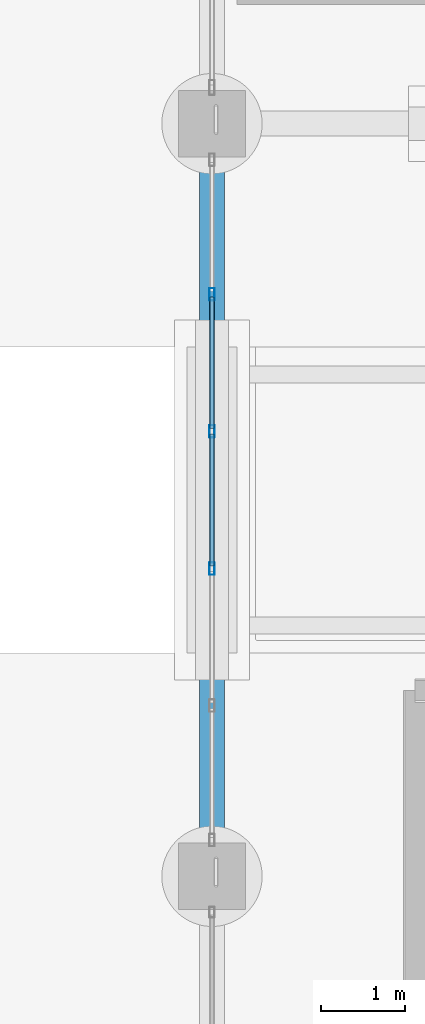
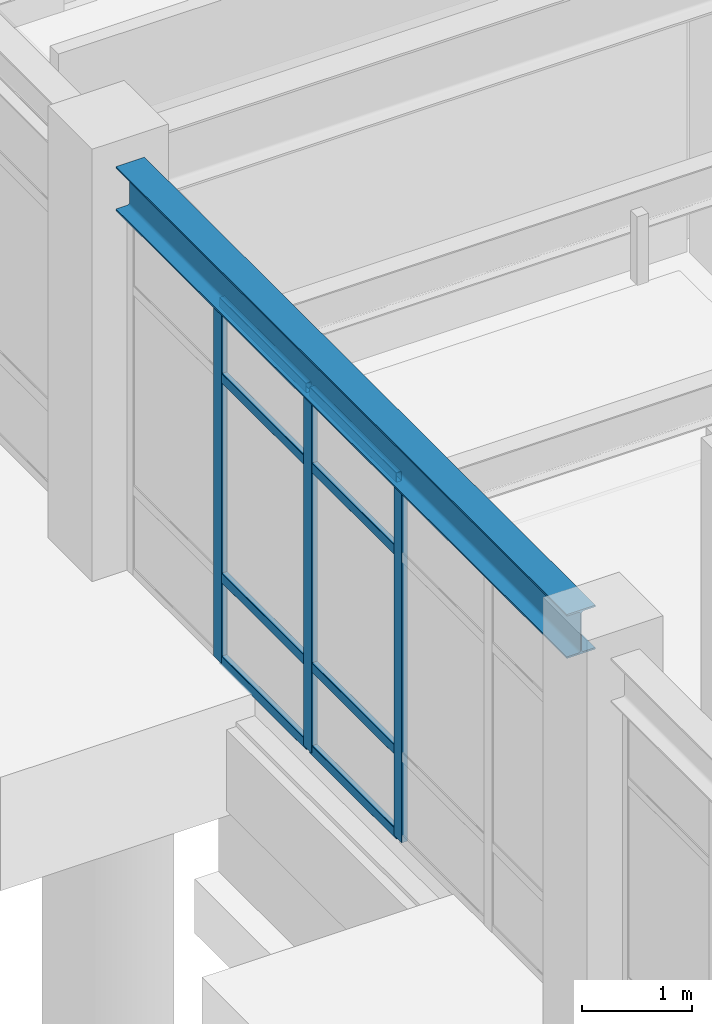
# One storey, part 38 of 98: 11 members, 1 beam, 1 element without a shape of its own.
"""IFC4 building model written with IfcOpenShell, lengths in metres."""

from ifc_helpers import new_model, si_unit, direction, frame, origin, origin_2d, place, context, subcontext, project, spatial, hollow_rectangle, i_section, extrude, material, material_profile, profile_set, type_object, element, aggregate, save


model = new_model("IFC4")

# Units and contexts
model_context = context("Model", 3, precision=1e-05, world=origin(), true_north=direction((0.0, 1.0)))
body_context = subcontext(model_context, "Body", "Model", "MODEL_VIEW")
ifc_project = project(units=[si_unit("LENGTHUNIT", "METRE"), si_unit("AREAUNIT", "SQUARE_METRE"), si_unit("VOLUMEUNIT", "CUBIC_METRE"), si_unit("PLANEANGLEUNIT", "RADIAN"), si_unit("MASSUNIT", "GRAM", prefix="KILO")], contexts=[model_context])

# Site, building, storey
site_placement = place(None, origin())
site = spatial("IfcSite", under=ifc_project, at=site_placement, CompositionType="ELEMENT")
building_placement = place(site_placement, origin())
building = spatial("IfcBuilding", under=site, at=building_placement, Name="Canglan Escarpment Cableway Terminal", CompositionType="ELEMENT")
storey_placement = place(building_placement, frame((0.0, 0.0, 9.60009765625)))
storey = spatial("IfcBuildingStorey", under=building, at=storey_placement, Name="L02", CompositionType="ELEMENT", Elevation=9.60009765625)

# Beam
ifc_material_1 = material(Name="Steel Q355B", Category="steel")
ifc_material_profile_1 = material_profile(ifc_material_1, i_section(OverallWidth=0.300048828125, OverallDepth=0.488037109375, WebThickness=0.010986328125, FlangeThickness=0.01806640625, FilletRadius=0.02587890625, at=origin_2d()), Name="HM 488x300x11x18")
ifc_profile_set_1 = profile_set([ifc_material_profile_1], Name="Steel Q355B")
beam_type = type_object("IfcBeamType", Name="BM-HM488", PredefinedType="BEAM", material=ifc_profile_set_1)
beam_placement = place(storey_placement, frame((115.10009765625, 52.39990234375, 4.27587890625), z_axis=(0.0, 1.0, 0.0), x_axis=(-1.0, 0.0, 0.0)))
element("IfcBeam", 1, at=beam_placement, inside=storey, type_object=beam_type, Name="Primary transverse girder B-09", PredefinedType="BEAM", context=body_context, shape_type="SweptSolid", body=[
    extrude(i_section(OverallWidth=0.300048828125, OverallDepth=0.488037109375, WebThickness=0.010986328125, FlangeThickness=0.01806640625, FilletRadius=0.02587890625, at=origin_2d()), origin(), (0.0, 0.0, 1.0), 8.2001953125),
])

# Curtain wall, members
ifc_material_2 = material(Name="Anodized bronze aluminium and Low-E double glazing", Category="aluminium")
curtain_wall_type = type_object("IfcCurtainWallType", Name="CW-BAY-8200x4025", PredefinedType="NOTDEFINED", material=ifc_material_2)
curtain_wall_placement = place(storey_placement, origin())
curtain_wall = element("IfcCurtainWall", 2, at=curtain_wall_placement, inside=storey, type_object=curtain_wall_type, Name="Classical bay-between-piers glazed curtain wall CW-44", PredefinedType="NOTDEFINED")
ifc_material_3 = material(Name="Thermally broken anodized aluminium 6063-T6", Category="aluminium")
ifc_material_profile_2 = material_profile(ifc_material_3, hollow_rectangle(XDim=0.06494140625, YDim=0.14990234375, WallThickness=0.00341796875, InnerFilletRadius=0.00341796875, OuterFilletRadius=0.007080078125, at=origin_2d()), Name="ALU-MULL 65x150x3.5")
ifc_profile_set_2 = profile_set([ifc_material_profile_2], Name="Thermally broken anodized aluminium 6063-T6")
member_type_1 = type_object("IfcMemberType", Name="CWM-02", PredefinedType="MULLION", material=ifc_profile_set_2)
member_1_placement = place(storey_placement, frame((115.10009765625, 58.9599609375, 0.0), z_axis=(0.0, 0.0, 1.0), x_axis=(1.0, 0.0, 0.0)))
member_1 = element("IfcMember", 3, at=member_1_placement, type_object=member_type_1, Name="CW-44 mullion 2", PredefinedType="MULLION", context=body_context, shape_type="SweptSolid", body=[
    extrude(hollow_rectangle(XDim=0.06494140625, YDim=0.14990234375, WallThickness=0.00341796875, InnerFilletRadius=0.00341796875, OuterFilletRadius=0.007080078125, at=origin_2d()), origin(), (0.0, 0.0, 1.0), 4.016845703125),
])
member_2_placement = place(storey_placement, frame((115.10009765625, 57.320068359375, 0.0), z_axis=(0.0, 0.0, 1.0), x_axis=(1.0, 0.0, 0.0)))
member_2 = element("IfcMember", 4, at=member_2_placement, type_object=member_type_1, Name="CW-44 mullion 3", PredefinedType="MULLION", context=body_context, shape_type="SweptSolid", body=[
    extrude(hollow_rectangle(XDim=0.06494140625, YDim=0.14990234375, WallThickness=0.00341796875, InnerFilletRadius=0.00341796875, OuterFilletRadius=0.007080078125, at=origin_2d()), origin(), (0.0, 0.0, 1.0), 4.016845703125),
])
member_3_placement = place(storey_placement, frame((115.10009765625, 55.679931640625, 0.0), z_axis=(0.0, 0.0, 1.0), x_axis=(1.0, 0.0, 0.0)))
member_3 = element("IfcMember", 5, at=member_3_placement, type_object=member_type_1, Name="CW-44 mullion 4", PredefinedType="MULLION", context=body_context, shape_type="SweptSolid", body=[
    extrude(hollow_rectangle(XDim=0.06494140625, YDim=0.14990234375, WallThickness=0.00341796875, InnerFilletRadius=0.00341796875, OuterFilletRadius=0.007080078125, at=origin_2d()), origin(), (0.0, 0.0, 1.0), 4.016845703125),
])
ifc_material_profile_3 = material_profile(ifc_material_3, hollow_rectangle(XDim=0.06005859375, YDim=0.110107421875, WallThickness=0.0029296875, InnerFilletRadius=0.0029296875, OuterFilletRadius=0.006103515625, at=origin_2d()), Name="ALU-TRAN 60x110x3")
ifc_profile_set_3 = profile_set([ifc_material_profile_3], Name="Thermally broken anodized aluminium 6063-T6")
member_type_2 = type_object("IfcMemberType", Name="CWT-02", PredefinedType="USERDEFINED", material=ifc_profile_set_3)
member_4_placement = place(storey_placement, frame((115.10009765625, 58.927490234375, 0.02978515625), z_axis=(0.0, -1.0, 0.0), x_axis=(1.0, 0.0, 0.0)))
member_4 = element("IfcMember", 6, at=member_4_placement, type_object=member_type_2, Name="CW-44 transom 2.1", ObjectType="TRANSOM", PredefinedType="USERDEFINED", context=body_context, shape_type="SweptSolid", body=[
    extrude(hollow_rectangle(XDim=0.06005859375, YDim=0.110107421875, WallThickness=0.0029296875, InnerFilletRadius=0.0029296875, OuterFilletRadius=0.006103515625, at=origin_2d()), origin(), (0.0, 0.0, 1.0), 1.574951171875),
])
member_5_placement = place(storey_placement, frame((115.10009765625, 58.927490234375, 0.949951171875), z_axis=(0.0, -1.0, 0.0), x_axis=(1.0, 0.0, 0.0)))
member_5 = element("IfcMember", 7, at=member_5_placement, type_object=member_type_2, Name="CW-44 transom 2.2", ObjectType="TRANSOM", PredefinedType="USERDEFINED", context=body_context, shape_type="SweptSolid", body=[
    extrude(hollow_rectangle(XDim=0.06005859375, YDim=0.110107421875, WallThickness=0.0029296875, InnerFilletRadius=0.0029296875, OuterFilletRadius=0.006103515625, at=origin_2d()), origin(), (0.0, 0.0, 1.0), 1.574951171875),
])
member_6_placement = place(storey_placement, frame((115.10009765625, 58.927490234375, 3.1669921875), z_axis=(0.0, -1.0, 0.0), x_axis=(1.0, 0.0, 0.0)))
member_6 = element("IfcMember", 8, at=member_6_placement, type_object=member_type_2, Name="CW-44 transom 2.3", ObjectType="TRANSOM", PredefinedType="USERDEFINED", context=body_context, shape_type="SweptSolid", body=[
    extrude(hollow_rectangle(XDim=0.06005859375, YDim=0.110107421875, WallThickness=0.0029296875, InnerFilletRadius=0.0029296875, OuterFilletRadius=0.006103515625, at=origin_2d()), origin(), (0.0, 0.0, 1.0), 1.574951171875),
])
member_7_placement = place(storey_placement, frame((115.10009765625, 58.927490234375, 3.98681640625), z_axis=(0.0, -1.0, 0.0), x_axis=(1.0, 0.0, 0.0)))
member_7 = element("IfcMember", 9, at=member_7_placement, type_object=member_type_2, Name="CW-44 transom 2.4", ObjectType="TRANSOM", PredefinedType="USERDEFINED", context=body_context, shape_type="SweptSolid", body=[
    extrude(hollow_rectangle(XDim=0.06005859375, YDim=0.110107421875, WallThickness=0.0029296875, InnerFilletRadius=0.0029296875, OuterFilletRadius=0.006103515625, at=origin_2d()), origin(), (0.0, 0.0, 1.0), 1.574951171875),
])
member_8_placement = place(storey_placement, frame((115.10009765625, 57.28759765625, 0.02978515625), z_axis=(0.0, -1.0, 0.0), x_axis=(1.0, 0.0, 0.0)))
member_8 = element("IfcMember", 10, at=member_8_placement, type_object=member_type_2, Name="CW-44 transom 3.1", ObjectType="TRANSOM", PredefinedType="USERDEFINED", context=body_context, shape_type="SweptSolid", body=[
    extrude(hollow_rectangle(XDim=0.06005859375, YDim=0.110107421875, WallThickness=0.0029296875, InnerFilletRadius=0.0029296875, OuterFilletRadius=0.006103515625, at=origin_2d()), origin(), (0.0, 0.0, 1.0), 1.5751953125),
])
member_9_placement = place(storey_placement, frame((115.10009765625, 57.28759765625, 0.949951171875), z_axis=(0.0, -1.0, 0.0), x_axis=(1.0, 0.0, 0.0)))
member_9 = element("IfcMember", 11, at=member_9_placement, type_object=member_type_2, Name="CW-44 transom 3.2", ObjectType="TRANSOM", PredefinedType="USERDEFINED", context=body_context, shape_type="SweptSolid", body=[
    extrude(hollow_rectangle(XDim=0.06005859375, YDim=0.110107421875, WallThickness=0.0029296875, InnerFilletRadius=0.0029296875, OuterFilletRadius=0.006103515625, at=origin_2d()), origin(), (0.0, 0.0, 1.0), 1.5751953125),
])
member_10_placement = place(storey_placement, frame((115.10009765625, 57.28759765625, 3.1669921875), z_axis=(0.0, -1.0, 0.0), x_axis=(1.0, 0.0, 0.0)))
member_10 = element("IfcMember", 12, at=member_10_placement, type_object=member_type_2, Name="CW-44 transom 3.3", ObjectType="TRANSOM", PredefinedType="USERDEFINED", context=body_context, shape_type="SweptSolid", body=[
    extrude(hollow_rectangle(XDim=0.06005859375, YDim=0.110107421875, WallThickness=0.0029296875, InnerFilletRadius=0.0029296875, OuterFilletRadius=0.006103515625, at=origin_2d()), origin(), (0.0, 0.0, 1.0), 1.5751953125),
])
member_11_placement = place(storey_placement, frame((115.10009765625, 57.28759765625, 3.98681640625), z_axis=(0.0, -1.0, 0.0), x_axis=(1.0, 0.0, 0.0)))
member_11 = element("IfcMember", 13, at=member_11_placement, type_object=member_type_2, Name="CW-44 transom 3.4", ObjectType="TRANSOM", PredefinedType="USERDEFINED", context=body_context, shape_type="SweptSolid", body=[
    extrude(hollow_rectangle(XDim=0.06005859375, YDim=0.110107421875, WallThickness=0.0029296875, InnerFilletRadius=0.0029296875, OuterFilletRadius=0.006103515625, at=origin_2d()), origin(), (0.0, 0.0, 1.0), 1.5751953125),
])
aggregate(curtain_wall, [member_1, member_2, member_3, member_4, member_5, member_6, member_7, member_8, member_9, member_10, member_11])

save(model, "model.ifc")
